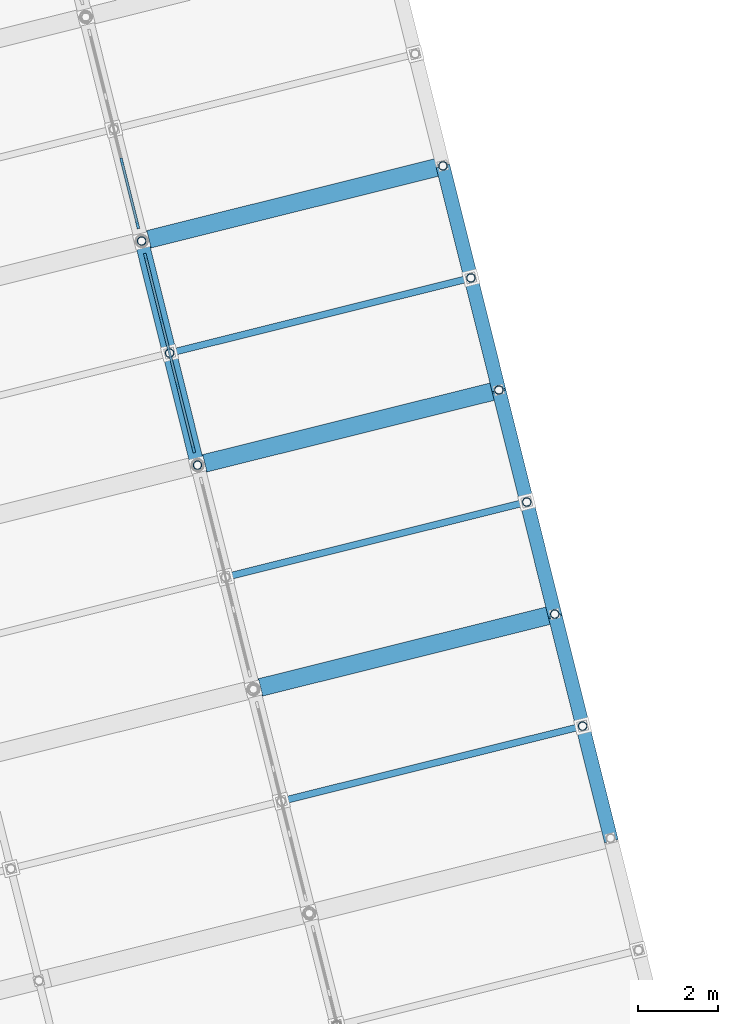
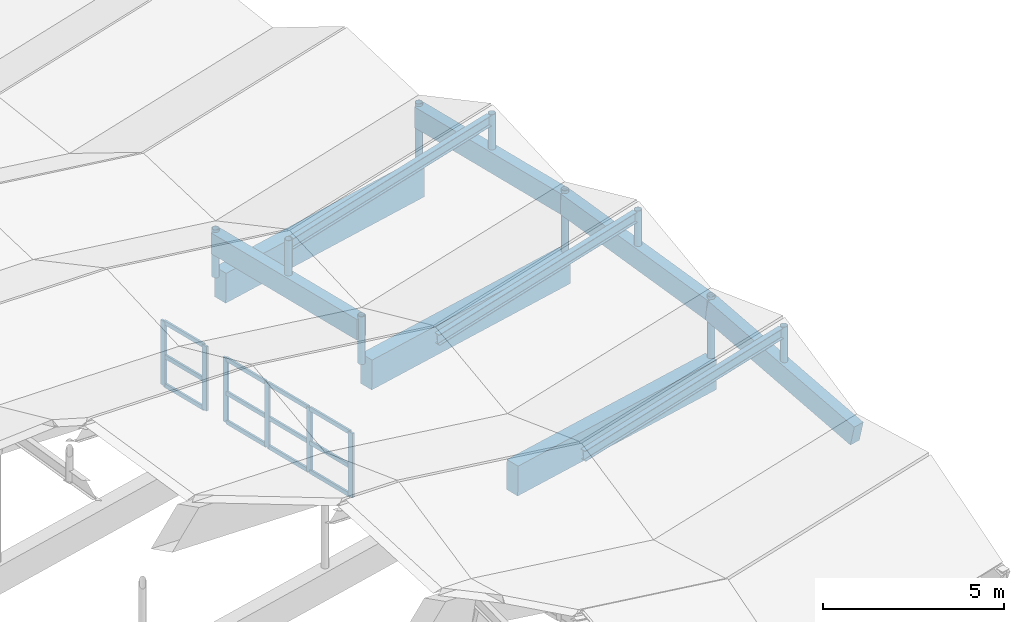
# One storey, part 26 of 65: 27 members, 10 beams, 2 elements without a shape of their own.
"""IFC4 building model written with IfcOpenShell, lengths in metres."""

from ifc_helpers import new_model, si_unit, direction, frame, origin, origin_2d, place, context, subcontext, project, spatial, rectangle, hollow_circle, i_section, extrude, material, material_profile, profile_set, type_object, element, aggregate, save


model = new_model("IFC4")

# Units and contexts
model_context = context("Model", 3, precision=1e-05, world=origin(), true_north=direction((0.0, 1.0)))
body_context = subcontext(model_context, "Body", "Model", "MODEL_VIEW")
ifc_project = project(units=[si_unit("LENGTHUNIT", "METRE"), si_unit("AREAUNIT", "SQUARE_METRE"), si_unit("VOLUMEUNIT", "CUBIC_METRE"), si_unit("PLANEANGLEUNIT", "RADIAN"), si_unit("MASSUNIT", "GRAM", prefix="KILO")], contexts=[model_context])

# Site, building, storey
site_placement = place(None, origin())
site = spatial("IfcSite", under=ifc_project, at=site_placement, CompositionType="ELEMENT")
building_placement = place(site_placement, origin())
building = spatial("IfcBuilding", under=site, at=building_placement, Name="Cinderway Yard Community Centre", CompositionType="ELEMENT")
storey_placement = place(building_placement, frame((0.0, 0.0, 24.300048828125)))
storey = spatial("IfcBuildingStorey", under=building, at=storey_placement, Name="RF", CompositionType="ELEMENT", Elevation=24.300048828125)

# Curtain wall, members
ifc_material_1 = material(Name="Aluminium 6063-T6", Category="aluminium")
curtain_wall_type = type_object("IfcCurtainWallType", Name="ENV-CW-TYPE-10", PredefinedType="USERDEFINED", material=ifc_material_1)
curtain_wall_1_placement = place(storey_placement, origin())
curtain_wall_1 = element("IfcCurtainWall", 1, at=curtain_wall_1_placement, inside=storey, type_object=curtain_wall_type, Name="Main Hall East Clerestory Curtain Wall ENV-CW-RF-HS-0033", ObjectType="GLAZED CURTAIN WALL", PredefinedType="USERDEFINED")
ifc_material_profile_1 = material_profile(ifc_material_1, rectangle(XDim=0.06494140625, YDim=0.179931640625, at=origin_2d()), Name="Aluminium 6063-T6")
ifc_profile_set_1 = profile_set([ifc_material_profile_1], Name="Aluminium 6063-T6")
member_type_1 = type_object("IfcMemberType", Name="ENV-CW-MULL-180", PredefinedType="MULLION", material=ifc_profile_set_1)
member_1_placement = place(storey_placement, frame((42.668701171875, 49.172119140625, -11.420166015625), z_axis=(0.0, 0.0, 1.0), x_axis=(-0.970305690025, -0.241881929678, 0.0)))
member_1 = element("IfcMember", 2, at=member_1_placement, type_object=member_type_1, Name="CW-10 mullion 1", PredefinedType="MULLION", context=body_context, shape_type="SweptSolid", body=[
    extrude(rectangle(XDim=0.06494140625, YDim=0.179931640625, at=origin_2d()), origin(), (0.0, 0.0, 1.0), 2.170166015625),
])
member_2_placement = place(storey_placement, frame((42.269775390625, 50.77294921875, -11.420166015625), z_axis=(0.0, 0.0, 1.0), x_axis=(-0.970305690025, -0.241881929678, 0.0)))
member_2 = element("IfcMember", 3, at=member_2_placement, type_object=member_type_1, Name="CW-10 mullion 2", PredefinedType="MULLION", context=body_context, shape_type="SweptSolid", body=[
    extrude(rectangle(XDim=0.06494140625, YDim=0.179931640625, at=origin_2d()), origin(), (0.0, 0.0, 1.0), 2.170166015625),
])
member_3_placement = place(storey_placement, frame((41.86328125, 52.403076171875, -11.420166015625), z_axis=(0.0, 0.0, 1.0), x_axis=(-0.970305690025, -0.241881929678, 0.0)))
member_3 = element("IfcMember", 4, at=member_3_placement, type_object=member_type_1, Name="CW-10 mullion 3", PredefinedType="MULLION", context=body_context, shape_type="SweptSolid", body=[
    extrude(rectangle(XDim=0.06494140625, YDim=0.179931640625, at=origin_2d()), origin(), (0.0, 0.0, 1.0), 2.170166015625),
])
member_4_placement = place(storey_placement, frame((41.46435546875, 54.00390625, -11.420166015625), z_axis=(0.0, 0.0, 1.0), x_axis=(-0.970305690025, -0.241881929678, 0.0)))
member_4 = element("IfcMember", 5, at=member_4_placement, type_object=member_type_1, Name="CW-10 mullion 4", PredefinedType="MULLION", context=body_context, shape_type="SweptSolid", body=[
    extrude(rectangle(XDim=0.06494140625, YDim=0.179931640625, at=origin_2d()), origin(), (0.0, 0.0, 1.0), 2.170166015625),
])

curtain_wall_2_placement = place(storey_placement, origin())
curtain_wall_2 = element("IfcCurtainWall", 6, at=curtain_wall_2_placement, inside=storey, type_object=curtain_wall_type, Name="Main Hall East Clerestory Curtain Wall ENV-CW-RF-HS-0034", ObjectType="GLAZED CURTAIN WALL", PredefinedType="USERDEFINED")
member_5_placement = place(storey_placement, frame((41.265625, 54.800048828125, -11.420166015625), z_axis=(0.0, 0.0, 1.0), x_axis=(-0.970294077356, -0.24192850896, 0.0)))
member_5 = element("IfcMember", 7, at=member_5_placement, type_object=member_type_1, Name="CW-10 mullion 1", PredefinedType="MULLION", context=body_context, shape_type="SweptSolid", body=[
    extrude(rectangle(XDim=0.06494140625, YDim=0.179931640625, at=origin_2d()), origin(), (0.0, 0.0, 1.0), 2.170166015625),
])
member_6_placement = place(storey_placement, frame((40.86669921875, 56.400634765625, -11.420166015625), z_axis=(0.0, 0.0, 1.0), x_axis=(-0.970294077356, -0.24192850896, 0.0)))
member_6 = element("IfcMember", 8, at=member_6_placement, type_object=member_type_1, Name="CW-10 mullion 2", PredefinedType="MULLION", context=body_context, shape_type="SweptSolid", body=[
    extrude(rectangle(XDim=0.06494140625, YDim=0.179931640625, at=origin_2d()), origin(), (0.0, 0.0, 1.0), 2.170166015625),
])

# Member
ifc_material_profile_2 = material_profile(ifc_material_1, rectangle(XDim=0.06494140625, YDim=0.139892578125, at=origin_2d()), Name="Aluminium 6063-T6")
ifc_profile_set_2 = profile_set([ifc_material_profile_2], Name="Aluminium 6063-T6")
member_type_2 = type_object("IfcMemberType", Name="ENV-CW-TRAN-140", PredefinedType="USERDEFINED", material=ifc_profile_set_2)
member_7_placement = place(storey_placement, frame((42.661376953125, 49.201171875, -11.39013671875), z_axis=(-0.241849083258, 0.97031387753, 0.0), x_axis=(-0.97031387753, -0.241849083258, 0.0)))
member_7 = element("IfcMember", 9, at=member_7_placement, type_object=member_type_2, Name="CW-10 transom 1.1", ObjectType="TRANSOM", PredefinedType="USERDEFINED", context=body_context, shape_type="SweptSolid", body=[
    extrude(rectangle(XDim=0.06494140625, YDim=0.139892578125, at=origin_2d()), origin(), (0.0, 0.0, 1.0), 1.58984375),
])

member_8_placement = place(storey_placement, frame((42.661376953125, 49.201171875, -10.420166015625), z_axis=(-0.241849083258, 0.97031387753, 0.0), x_axis=(-0.97031387753, -0.241849083258, 0.0)))
member_8 = element("IfcMember", 10, at=member_8_placement, type_object=member_type_2, Name="CW-10 transom 1.2", ObjectType="TRANSOM", PredefinedType="USERDEFINED", context=body_context, shape_type="SweptSolid", body=[
    extrude(rectangle(XDim=0.06494140625, YDim=0.139892578125, at=origin_2d()), origin(), (0.0, 0.0, 1.0), 1.58984375),
])

member_9_placement = place(storey_placement, frame((42.661376953125, 49.201171875, -9.280029296875), z_axis=(-0.241849083258, 0.97031387753, 0.0), x_axis=(-0.97031387753, -0.241849083258, 0.0)))
member_9 = element("IfcMember", 11, at=member_9_placement, type_object=member_type_2, Name="CW-10 transom 1.3", ObjectType="TRANSOM", PredefinedType="USERDEFINED", context=body_context, shape_type="SweptSolid", body=[
    extrude(rectangle(XDim=0.06494140625, YDim=0.139892578125, at=origin_2d()), origin(), (0.0, 0.0, 1.0), 1.58984375),
])

member_10_placement = place(storey_placement, frame((42.262451171875, 50.802001953125, -11.39013671875), z_axis=(-0.241897251039, 0.970301870523, 0.0), x_axis=(-0.970301870523, -0.241897251039, 0.0)))
member_10 = element("IfcMember", 12, at=member_10_placement, type_object=member_type_2, Name="CW-10 transom 2.1", ObjectType="TRANSOM", PredefinedType="USERDEFINED", context=body_context, shape_type="SweptSolid", body=[
    extrude(rectangle(XDim=0.06494140625, YDim=0.139892578125, at=origin_2d()), origin(), (0.0, 0.0, 1.0), 1.619873046875),
])

member_11_placement = place(storey_placement, frame((42.262451171875, 50.802001953125, -10.420166015625), z_axis=(-0.241897251039, 0.970301870523, 0.0), x_axis=(-0.970301870523, -0.241897251039, 0.0)))
member_11 = element("IfcMember", 13, at=member_11_placement, type_object=member_type_2, Name="CW-10 transom 2.2", ObjectType="TRANSOM", PredefinedType="USERDEFINED", context=body_context, shape_type="SweptSolid", body=[
    extrude(rectangle(XDim=0.06494140625, YDim=0.139892578125, at=origin_2d()), origin(), (0.0, 0.0, 1.0), 1.619873046875),
])

member_12_placement = place(storey_placement, frame((42.262451171875, 50.802001953125, -9.280029296875), z_axis=(-0.241897251039, 0.970301870523, 0.0), x_axis=(-0.970301870523, -0.241897251039, 0.0)))
member_12 = element("IfcMember", 14, at=member_12_placement, type_object=member_type_2, Name="CW-10 transom 2.3", ObjectType="TRANSOM", PredefinedType="USERDEFINED", context=body_context, shape_type="SweptSolid", body=[
    extrude(rectangle(XDim=0.06494140625, YDim=0.139892578125, at=origin_2d()), origin(), (0.0, 0.0, 1.0), 1.619873046875),
])

member_13_placement = place(storey_placement, frame((41.85595703125, 52.43212890625, -11.39013671875), z_axis=(-0.241849083258, 0.97031387753, 0.0), x_axis=(-0.97031387753, -0.241849083258, 0.0)))
member_13 = element("IfcMember", 15, at=member_13_placement, type_object=member_type_2, Name="CW-10 transom 3.1", ObjectType="TRANSOM", PredefinedType="USERDEFINED", context=body_context, shape_type="SweptSolid", body=[
    extrude(rectangle(XDim=0.06494140625, YDim=0.139892578125, at=origin_2d()), origin(), (0.0, 0.0, 1.0), 1.58984375),
])

member_14_placement = place(storey_placement, frame((41.85595703125, 52.43212890625, -10.420166015625), z_axis=(-0.241849083258, 0.97031387753, 0.0), x_axis=(-0.97031387753, -0.241849083258, 0.0)))
member_14 = element("IfcMember", 16, at=member_14_placement, type_object=member_type_2, Name="CW-10 transom 3.2", ObjectType="TRANSOM", PredefinedType="USERDEFINED", context=body_context, shape_type="SweptSolid", body=[
    extrude(rectangle(XDim=0.06494140625, YDim=0.139892578125, at=origin_2d()), origin(), (0.0, 0.0, 1.0), 1.58984375),
])

member_15_placement = place(storey_placement, frame((41.85595703125, 52.43212890625, -9.280029296875), z_axis=(-0.241849083258, 0.97031387753, 0.0), x_axis=(-0.97031387753, -0.241849083258, 0.0)))
member_15 = element("IfcMember", 17, at=member_15_placement, type_object=member_type_2, Name="CW-10 transom 3.3", ObjectType="TRANSOM", PredefinedType="USERDEFINED", context=body_context, shape_type="SweptSolid", body=[
    extrude(rectangle(XDim=0.06494140625, YDim=0.139892578125, at=origin_2d()), origin(), (0.0, 0.0, 1.0), 1.58984375),
])

aggregate(curtain_wall_1, [member_1, member_2, member_3, member_4, member_7, member_8, member_9, member_10, member_11, member_12, member_13, member_14, member_15])

member_16_placement = place(storey_placement, frame((41.258544921875, 54.8291015625, -11.39013671875), z_axis=(-0.241885123134, 0.970304893941, 0.0), x_axis=(-0.970304893941, -0.241885123134, 0.0)))
member_16 = element("IfcMember", 18, at=member_16_placement, type_object=member_type_2, Name="CW-10 transom 1.1", ObjectType="TRANSOM", PredefinedType="USERDEFINED", context=body_context, shape_type="SweptSolid", body=[
    extrude(rectangle(XDim=0.06494140625, YDim=0.139892578125, at=origin_2d()), origin(), (0.0, 0.0, 1.0), 1.589599609375),
])

member_17_placement = place(storey_placement, frame((41.258544921875, 54.8291015625, -10.420166015625), z_axis=(-0.241885123134, 0.970304893941, 0.0), x_axis=(-0.970304893941, -0.241885123134, 0.0)))
member_17 = element("IfcMember", 19, at=member_17_placement, type_object=member_type_2, Name="CW-10 transom 1.2", ObjectType="TRANSOM", PredefinedType="USERDEFINED", context=body_context, shape_type="SweptSolid", body=[
    extrude(rectangle(XDim=0.06494140625, YDim=0.139892578125, at=origin_2d()), origin(), (0.0, 0.0, 1.0), 1.589599609375),
])

member_18_placement = place(storey_placement, frame((41.258544921875, 54.8291015625, -9.280029296875), z_axis=(-0.241885123134, 0.970304893941, 0.0), x_axis=(-0.970304893941, -0.241885123134, 0.0)))
member_18 = element("IfcMember", 20, at=member_18_placement, type_object=member_type_2, Name="CW-10 transom 1.3", ObjectType="TRANSOM", PredefinedType="USERDEFINED", context=body_context, shape_type="SweptSolid", body=[
    extrude(rectangle(XDim=0.06494140625, YDim=0.139892578125, at=origin_2d()), origin(), (0.0, 0.0, 1.0), 1.589599609375),
])

aggregate(curtain_wall_2, [member_5, member_6, member_16, member_17, member_18])

# Beams
ifc_material_2 = material(Name="Concrete C35/45", Category="concrete")
ifc_material_profile_3 = material_profile(ifc_material_2, rectangle(XDim=0.35009765625, YDim=0.699951171875, at=origin_2d()), Name="Concrete C35/45")
ifc_profile_set_3 = profile_set([ifc_material_profile_3], Name="Concrete C35/45")
beam_type_1 = type_object("IfcBeamType", Name="STR-BM-RC350X700", PredefinedType="BEAM", material=ifc_profile_set_3)
beam_1_placement = place(storey_placement, frame((53.14306640625, 39.405029296875, -7.05615234375), z_axis=(-0.235790387883, 0.94578737106, 0.223358773558), x_axis=(-0.97030075642, -0.2419017199, 0.0)))
element("IfcBeam", 21, at=beam_1_placement, inside=storey, type_object=beam_type_1, Name="Folded-plate valley beam B2-U36", PredefinedType="BEAM", context=body_context, shape_type="SweptSolid", body=[
    extrude(rectangle(XDim=0.35009765625, YDim=0.699951171875, at=origin_2d()), origin(), (0.0, 0.0, 1.0), 5.950439453125),
])
beam_2_placement = place(storey_placement, frame((51.739990234375, 45.032958984375, -5.72705078125), z_axis=(-0.240387256299, 0.964226036576, 0.111723396829), x_axis=(-0.97030075642, -0.2419017199, 0.0)))
element("IfcBeam", 22, at=beam_2_placement, inside=storey, type_object=beam_type_1, Name="Folded-plate valley beam B3-U36", PredefinedType="BEAM", context=body_context, shape_type="SweptSolid", body=[
    extrude(rectangle(XDim=0.35009765625, YDim=0.699951171875, at=origin_2d()), origin(), (0.0, 0.0, 1.0), 5.836669921875),
])
for number, where, z_axis, x_axis, name in (
    (23, (42.76806640625, 48.77392578125, -5.525146484375), (-0.241891840607, 0.970303219333, 0.0), (-0.970303219333, -0.241891840607, 0.0), "Folded-plate valley beam B4-U28"),
    (24, (50.3369140625, 50.660888671875, -5.074951171875), (-0.242010717192, 0.970273576248, 0.0), (-0.970273576248, -0.242010717192, 0.0), "Folded-plate valley beam B4-U36"),
):
    element("IfcBeam", number, at=place(storey_placement, frame(where, z_axis=z_axis, x_axis=x_axis)), inside=storey, type_object=beam_type_1, Name=name, PredefinedType="BEAM", context=body_context, shape_type="SweptSolid", body=[
        extrude(rectangle(XDim=0.35009765625, YDim=0.699951171875, at=origin_2d()), origin(), (0.0, 0.0, 1.0), 5.800537109375),
    ])
ifc_material_3 = material(Name="Concrete C40/50", Category="concrete")
ifc_material_profile_4 = material_profile(ifc_material_3, rectangle(XDim=0.449951171875, YDim=1.0, at=origin_2d()), Name="Concrete C40/50")
ifc_profile_set_4 = profile_set([ifc_material_profile_4], Name="Concrete C40/50")
beam_type_2 = type_object("IfcBeamType", Name="STR-BM-RC450X1000", PredefinedType="BEAM", material=ifc_profile_set_4)
for number, where, z_axis, x_axis, name in (
    (25, (44.345947265625, 43.18994140625, -7.757080078125), (0.970191843889, 0.241827188454, -0.015728858065), (-0.241857107663, 0.970311877425, 0.0), "Main Hall folded-plate cantilever eave rib 03"),
    (26, (42.943115234375, 48.81689453125, -7.10498046875), (0.970159401369, 0.24195522399, -0.015760885768), (-0.241985281097, 0.970279920298, 0.0), "Main Hall folded-plate cantilever eave rib 04"),
):
    element("IfcBeam", number, at=place(storey_placement, frame(where, z_axis=z_axis, x_axis=x_axis)), inside=storey, type_object=beam_type_2, Name=name, PredefinedType="BEAM", context=body_context, shape_type="SweptSolid", body=[
        extrude(rectangle(XDim=0.449951171875, YDim=1.0, at=origin_2d()), origin(), (0.0, 0.0, 1.0), 7.621337890625),
    ])
beam_3_placement = place(storey_placement, frame((41.5400390625, 54.445068359375, -7.10498046875), z_axis=(0.970153750614, 0.24197778477, -0.01576235537), x_axis=(-0.242007850286, 0.970274291322, 0.0)))
element("IfcBeam", 27, at=beam_3_placement, inside=storey, type_object=beam_type_2, Name="Main Hall folded-plate cantilever eave rib 05", PredefinedType="BEAM", context=body_context, shape_type="SweptSolid", body=[
    extrude(rectangle(XDim=0.449951171875, YDim=1.0, at=origin_2d()), origin(), (0.0, 0.0, 1.0), 7.62060546875),
])
ifc_material_4 = material(Name="Steel S355", Category="steel")
ifc_material_profile_5 = material_profile(ifc_material_4, i_section(OverallWidth=0.172119140625, OverallDepth=0.35791015625, WebThickness=0.0078125, FlangeThickness=0.01318359375, FilletRadius=0.010986328125, at=origin_2d()), Name="Steel S355")
ifc_profile_set_5 = profile_set([ifc_material_profile_5], Name="Steel S355")
beam_type_3 = type_object("IfcBeamType", Name="STR-BM-W360X57", PredefinedType="JOIST", material=ifc_profile_set_5)
beam_4_placement = place(storey_placement, frame((44.97509765625, 40.35791015625, -5.4970703125), z_axis=(0.968591072565, 0.241513558226, 0.059182221488), x_axis=(-0.241937627426, 0.970291803756, 0.0)))
element("IfcBeam", 28, at=beam_4_placement, inside=storey, type_object=beam_type_3, Name="Folded-plate ridge beam B2.6", PredefinedType="JOIST", context=body_context, shape_type="SweptSolid", body=[
    extrude(i_section(OverallWidth=0.172119140625, OverallDepth=0.35791015625, WebThickness=0.0078125, FlangeThickness=0.01318359375, FilletRadius=0.010986328125, at=origin_2d()), origin(), (0.0, 0.0, 1.0), 7.602783203125),
])
beam_5_placement = place(storey_placement, frame((43.572021484375, 45.985107421875, -4.506103515625), z_axis=(0.968568533256, 0.241604271598, 0.059180844306), x_axis=(-0.242028480285, 0.970269145511, 0.0)))
element("IfcBeam", 29, at=beam_5_placement, inside=storey, type_object=beam_type_3, Name="Folded-plate ridge beam B3.6", PredefinedType="JOIST", context=body_context, shape_type="SweptSolid", body=[
    extrude(i_section(OverallWidth=0.172119140625, OverallDepth=0.35791015625, WebThickness=0.0078125, FlangeThickness=0.01318359375, FilletRadius=0.010986328125, at=origin_2d()), origin(), (0.0, 0.0, 1.0), 7.60302734375),
])
beam_6_placement = place(storey_placement, frame((42.1689453125, 51.613037109375, -4.179931640625), z_axis=(0.96859858402, 0.241483319028, 0.059182680448), x_axis=(-0.241907341725, 0.970299354848, 0.0)))
element("IfcBeam", 30, at=beam_6_placement, inside=storey, type_object=beam_type_3, Name="Folded-plate ridge beam B4.6", PredefinedType="JOIST", context=body_context, shape_type="SweptSolid", body=[
    extrude(i_section(OverallWidth=0.172119140625, OverallDepth=0.35791015625, WebThickness=0.0078125, FlangeThickness=0.01318359375, FilletRadius=0.010986328125, at=origin_2d()), origin(), (0.0, 0.0, 1.0), 7.602783203125),
])

# Members
ifc_material_profile_6 = material_profile(ifc_material_4, hollow_circle(Radius=0.109619140625, WallThickness=0.010009765625, at=origin_2d()), Name="Steel S355")
ifc_profile_set_6 = profile_set([ifc_material_profile_6], Name="Steel S355")
member_type_3 = type_object("IfcMemberType", Name="STR-MEM-STRUT-CHS219", PredefinedType="STRUT", material=ifc_profile_set_6)
member_19_placement = place(storey_placement, frame((51.739990234375, 45.032958984375, -7.47705078125), z_axis=(0.0, 0.0, 1.0), x_axis=(1.0, 0.0, 0.0)))
element("IfcMember", 31, at=member_19_placement, inside=storey, type_object=member_type_3, Name="Arch rib web post 03-36", PredefinedType="STRUT", context=body_context, shape_type="SweptSolid", body=[
    extrude(hollow_circle(Radius=0.109619140625, WallThickness=0.010009765625, at=origin_2d()), origin(), (0.0, 0.0, 1.0), 2.179931640625),
])
member_20_placement = place(storey_placement, frame((42.76806640625, 48.77392578125, -6.705078125), z_axis=(0.0, 0.0, 1.0), x_axis=(1.0, 0.0, 0.0)))
element("IfcMember", 32, at=member_20_placement, inside=storey, type_object=member_type_3, Name="Arch rib web post 04-28", PredefinedType="STRUT", context=body_context, shape_type="SweptSolid", body=[
    extrude(hollow_circle(Radius=0.109619140625, WallThickness=0.010009765625, at=origin_2d()), origin(), (0.0, 0.0, 1.0), 1.610107421875),
])
member_21_placement = place(storey_placement, frame((50.3369140625, 50.660888671875, -6.824951171875), z_axis=(0.0, 0.0, 1.0), x_axis=(1.0, 0.0, 0.0)))
element("IfcMember", 33, at=member_21_placement, inside=storey, type_object=member_type_3, Name="Arch rib web post 04-36", PredefinedType="STRUT", context=body_context, shape_type="SweptSolid", body=[
    extrude(hollow_circle(Radius=0.109619140625, WallThickness=0.010009765625, at=origin_2d()), origin(), (0.0, 0.0, 1.0), 2.179931640625),
])
member_22_placement = place(storey_placement, frame((41.364990234375, 54.402099609375, -6.705078125), z_axis=(0.0, 0.0, 1.0), x_axis=(1.0, 0.0, 0.0)))
element("IfcMember", 34, at=member_22_placement, inside=storey, type_object=member_type_3, Name="Arch rib web post 05-28", PredefinedType="STRUT", context=body_context, shape_type="SweptSolid", body=[
    extrude(hollow_circle(Radius=0.109619140625, WallThickness=0.010009765625, at=origin_2d()), origin(), (0.0, 0.0, 1.0), 1.610107421875),
])
member_23_placement = place(storey_placement, frame((48.93310546875, 56.2890625, -6.824951171875), z_axis=(0.0, 0.0, 1.0), x_axis=(1.0, 0.0, 0.0)))
element("IfcMember", 35, at=member_23_placement, inside=storey, type_object=member_type_3, Name="Arch rib web post 05-36", PredefinedType="STRUT", context=body_context, shape_type="SweptSolid", body=[
    extrude(hollow_circle(Radius=0.109619140625, WallThickness=0.010009765625, at=origin_2d()), origin(), (0.0, 0.0, 1.0), 2.179931640625),
])
for number, where, z_axis, x_axis, name in (
    (36, (52.44091796875, 42.218994140625, -6.442138671875), (0.0, 0.0, 1.0), (1.0, 0.0, 0.0), "Folded-plate ridge kingpost B2-U36"),
    (37, (51.0380859375, 47.846923828125, -5.450927734375), (0.0, 0.0, 1.0), (1.0, 0.0, 0.0), "Folded-plate ridge kingpost B3-U36"),
    (38, (42.06689453125, 51.587890625, -5.574951171875), (0.0, 0.0, 1.0), (1.0, 0.0, 0.0), "Folded-plate ridge kingpost B4-U28"),
    (39, (49.635009765625, 53.47509765625, -5.125), (0.0, 0.0, 1.0), (1.0, 0.0, 0.0), "Folded-plate ridge kingpost B4-U36"),
):
    element("IfcMember", number, at=place(storey_placement, frame(where, z_axis=z_axis, x_axis=x_axis)), inside=storey, type_object=member_type_3, Name=name, PredefinedType="STRUT", context=body_context, shape_type="SweptSolid", body=[
        extrude(hollow_circle(Radius=0.109619140625, WallThickness=0.010009765625, at=origin_2d()), origin(), (0.0, 0.0, 1.0), 1.583984375),
    ])

save(model, "model.ifc")
